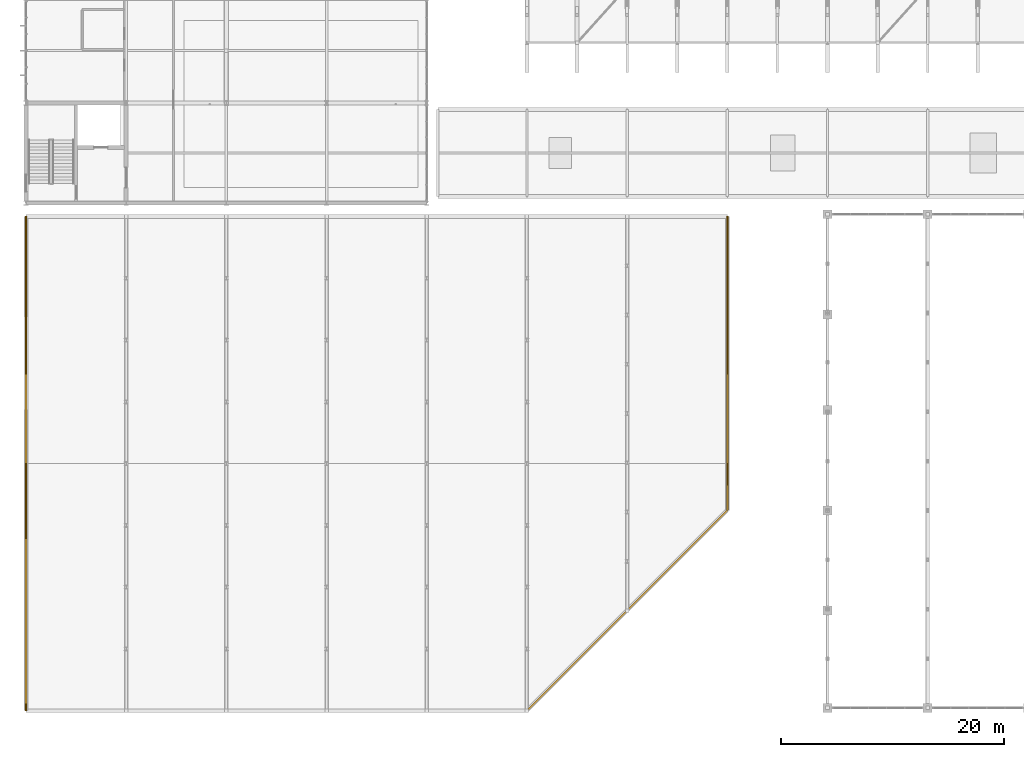
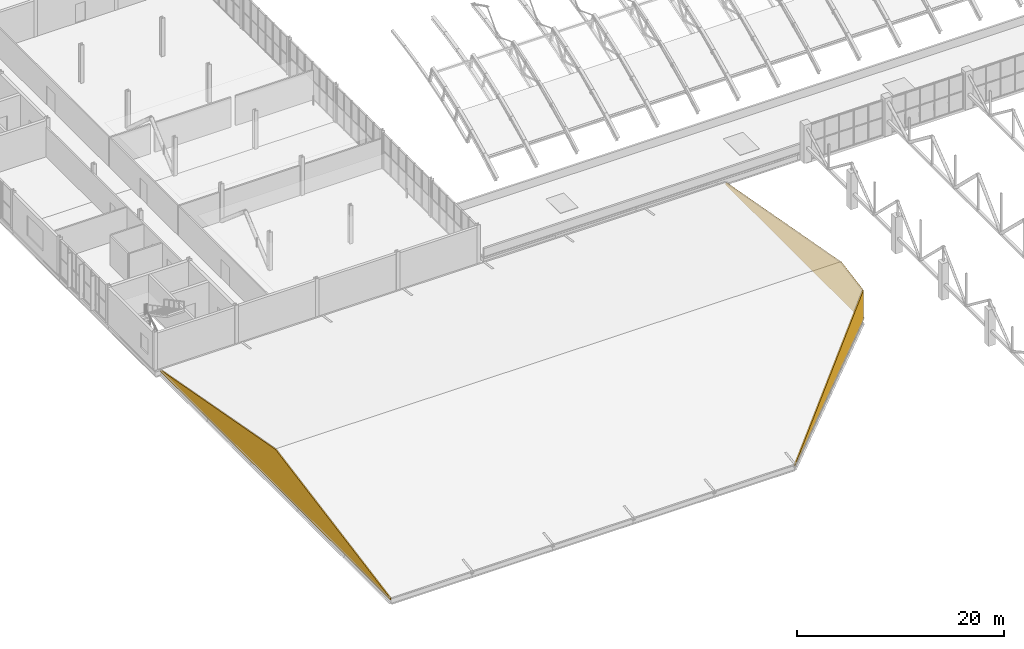
# One storey, part 100 of 103: 3 coverings.
"""IFC4 building model written with IfcOpenShell, lengths in metres."""

from ifc_helpers import new_model, si_unit, direction, frame, origin, place, context, subcontext, project, spatial, polyline, outline, extrude, material, type_object, element, save


model = new_model("IFC4")

# Units and contexts
model_context = context("Model", 3, precision=1e-05, world=origin(), true_north=direction((0.0, 1.0)))
body_context = subcontext(model_context, "Body", "Model", "MODEL_VIEW")
ifc_project = project(units=[si_unit("LENGTHUNIT", "METRE"), si_unit("AREAUNIT", "SQUARE_METRE"), si_unit("VOLUMEUNIT", "CUBIC_METRE"), si_unit("PLANEANGLEUNIT", "RADIAN"), si_unit("MASSUNIT", "GRAM", prefix="KILO")], contexts=[model_context])

# Site, building, storey
site_placement = place(None, origin())
site = spatial("IfcSite", under=ifc_project, at=site_placement, CompositionType="ELEMENT")
building_placement = place(site_placement, origin())
building = spatial("IfcBuilding", under=site, at=building_placement, Name="Cazmaro Siding Exhibition Halls", CompositionType="ELEMENT")
storey_placement = place(building_placement, frame((0.0, 0.0, 16.5)))
storey = spatial("IfcBuildingStorey", under=building, at=storey_placement, Name="L03", CompositionType="ELEMENT", Elevation=16.5)

# Coverings
ifc_material = material(Name="Insulated Brushed Aluminum Architectural Gable Cladding", Category="aluminium")
covering_type = type_object("IfcCoveringType", Name="COV-CLAD-01", PredefinedType="CLADDING", material=ifc_material)
covering_1_placement = place(storey_placement, frame((0.0, 9.0, -16.5), z_axis=(0.0, 0.0, 1.0), x_axis=(0.0, 1.0, 0.0)))
element("IfcCovering", 1, at=covering_1_placement, inside=storey, type_object=covering_type, Name="Congress West Gable Tympanum Cladding COV-CLAD-01 015", PredefinedType="CLADDING", context=body_context, shape_type="SweptSolid", body=[
    extrude(outline(polyline([(0.0, 16.949951171875), (44.39990234375, 16.949951171875), (44.39990234375, 17.14990234375), (22.199951171875, 21.239990234375), (0.0, 17.14990234375), (0.0, 16.949951171875)])), frame((0.0, 0.06982421875, 0.0), z_axis=(0.0, -1.0, 0.0), x_axis=(1.0, 0.0, 0.0)), (0.0, 0.0, 1.0), 0.139892578125),
])
covering_2_placement = place(storey_placement, frame((63.0, 27.0, -16.5), z_axis=(0.0, 0.0, 1.0), x_axis=(0.0, 1.0, 0.0)))
element("IfcCovering", 2, at=covering_2_placement, inside=storey, type_object=covering_type, Name="Congress East Gable Tympanum Cladding COV-CLAD-01 016", PredefinedType="CLADDING", context=body_context, shape_type="SweptSolid", body=[
    extrude(outline(polyline([(0.0, 16.949951171875), (26.39990234375, 16.949951171875), (26.39990234375, 17.14990234375), (4.199951171875, 21.239990234375), (0.0, 20.47998046875), (0.0, 16.949951171875)])), frame((0.0, 0.06982421875, 0.0), z_axis=(0.0, -1.0, 0.0), x_axis=(1.0, 0.0, 0.0)), (0.0, 0.0, 1.0), 0.139892578125),
])
covering_3_placement = place(storey_placement, frame((45.0, 9.0, -16.5), z_axis=(0.0, 0.0, 1.0), x_axis=(0.707106781187, 0.707106781187, 0.0)))
element("IfcCovering", 3, at=covering_3_placement, inside=storey, type_object=covering_type, Name="Congress SE Foyer Gable Tympanum Cladding COV-CLAD-01 017", PredefinedType="CLADDING", context=body_context, shape_type="SweptSolid", body=[
    extrude(outline(polyline([(0.0, 16.949951171875), (25.4560546875, 16.949951171875), (25.4560546875, 20.47998046875), (0.0, 17.14990234375), (0.0, 16.949951171875)])), frame((0.0, 0.06982421875, 0.0), z_axis=(0.0, -1.0, 0.0), x_axis=(1.0, 0.0, 0.0)), (0.0, 0.0, 1.0), 0.139892578125),
])

save(model, "model.ifc")
